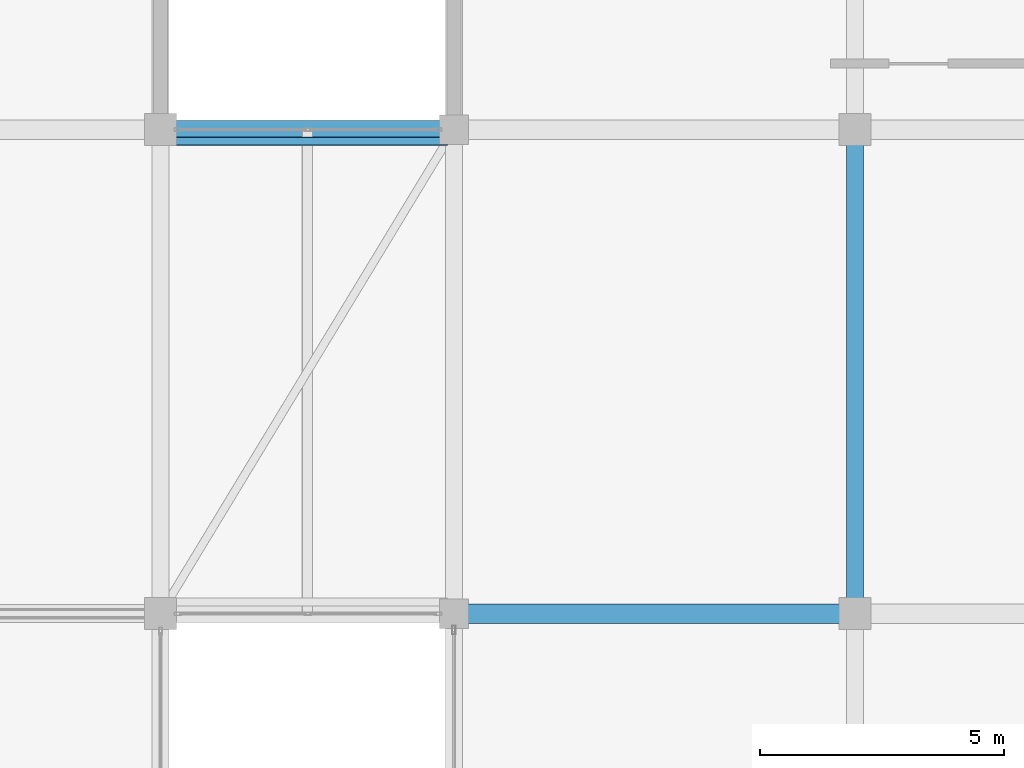
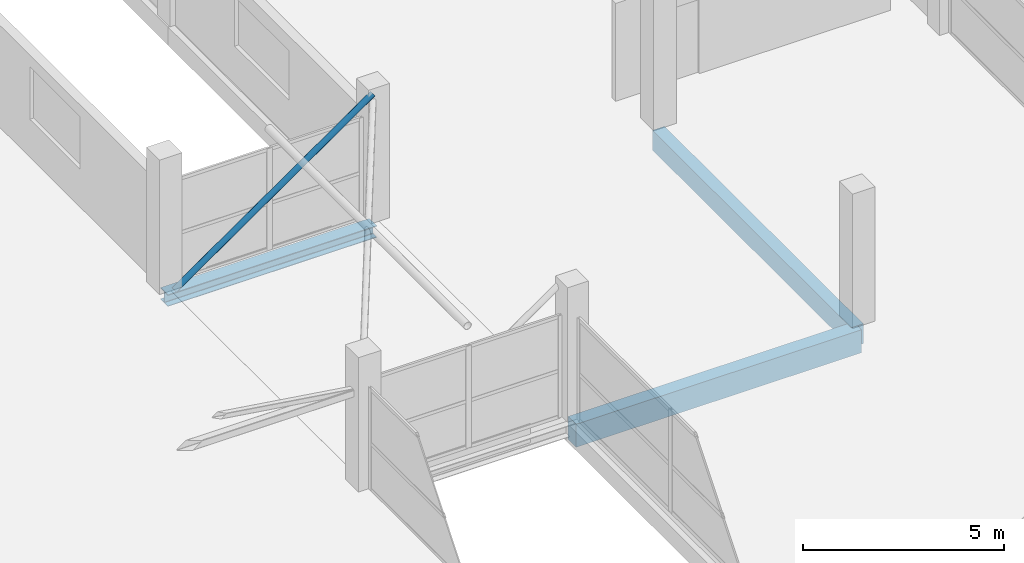
# One storey, part 40 of 66: 3 beams, 1 member.
"""IFC4 building model written with IfcOpenShell, lengths in metres."""

from ifc_helpers import new_model, si_unit, direction, frame, origin, origin_2d, place, context, subcontext, project, spatial, rectangle, hollow_circle, i_section, extrude, material, material_profile, profile_set, type_object, element, save


model = new_model("IFC4")

# Units and contexts
model_context = context("Model", 3, precision=1e-05, world=origin(), true_north=direction((0.0, 1.0)))
body_context = subcontext(model_context, "Body", "Model", "MODEL_VIEW")
ifc_project = project(units=[si_unit("LENGTHUNIT", "METRE"), si_unit("AREAUNIT", "SQUARE_METRE"), si_unit("VOLUMEUNIT", "CUBIC_METRE"), si_unit("PLANEANGLEUNIT", "RADIAN"), si_unit("MASSUNIT", "GRAM", prefix="KILO")], contexts=[model_context])

# Site, building, storey
site_placement = place(None, origin())
site = spatial("IfcSite", under=ifc_project, at=site_placement, CompositionType="ELEMENT")
building_placement = place(site_placement, origin())
building = spatial("IfcBuilding", under=site, at=building_placement, Name="Sillaruma Civic Art Gallery", CompositionType="ELEMENT")
storey_placement = place(building_placement, frame((0.0, 0.0, 62.219970703125)))
storey = spatial("IfcBuildingStorey", under=building, at=storey_placement, Name="L12", CompositionType="ELEMENT", Elevation=62.219970703125)

# Beams
ifc_material_1 = material(Name="Concrete H35 (35 MPa)", Category="concrete")
ifc_material_profile_1 = material_profile(ifc_material_1, rectangle(XDim=0.35009765625, YDim=0.60009765625, at=origin_2d()), Name="RCB350x600")
ifc_profile_set_1 = profile_set([ifc_material_profile_1], Name="Concrete H35 (35 MPa)")
beam_type_1 = type_object("IfcBeamType", Name="BM-BEAM-RCB350x600", PredefinedType="BEAM", material=ifc_profile_set_1)
beam_1_placement = place(storey_placement, frame((106.199951171875, 69.300048828125, -0.530029296875), z_axis=(0.0, 1.0, 0.0), x_axis=(-1.0, 0.0, 0.0)))
element("IfcBeam", 1, at=beam_1_placement, inside=storey, type_object=beam_type_1, Name="Beam BM-06 (L11:M:8-9)", PredefinedType="BEAM", context=body_context, shape_type="SweptSolid", body=[
    extrude(rectangle(XDim=0.35009765625, YDim=0.60009765625, at=origin_2d()), origin(), (0.0, 0.0, 1.0), 9.89990234375),
])
ifc_material_profile_2 = material_profile(ifc_material_1, rectangle(XDim=0.39990234375, YDim=0.699951171875, at=origin_2d()), Name="RCB400x700")
ifc_profile_set_2 = profile_set([ifc_material_profile_2], Name="Concrete H35 (35 MPa)")
beam_type_2 = type_object("IfcBeamType", Name="BM-BEAM-RCB400x700", PredefinedType="BEAM", material=ifc_profile_set_2)
beam_2_placement = place(storey_placement, frame((98.0, 69.300048828125, -0.580078125), z_axis=(1.0, 0.0, 0.0), x_axis=(0.0, 1.0, 0.0)))
element("IfcBeam", 2, at=beam_2_placement, inside=storey, type_object=beam_type_2, Name="Beam BM-04 (L11:8:L-M)", PredefinedType="BEAM", context=body_context, shape_type="SweptSolid", body=[
    extrude(rectangle(XDim=0.39990234375, YDim=0.699951171875, at=origin_2d()), origin(), (0.0, 0.0, 1.0), 8.199951171875),
])
ifc_material_2 = material(Name="Structural Steel ASTM A992 Gr.50", Category="steel")
ifc_material_profile_3 = material_profile(ifc_material_2, i_section(OverallWidth=0.368896484375, OverallDepth=0.35595703125, WebThickness=0.01123046875, FlangeThickness=0.01806640625, FilletRadius=0.014892578125, at=origin_2d()), Name="W360x134")
ifc_profile_set_3 = profile_set([ifc_material_profile_3], Name="Structural Steel ASTM A992 Gr.50")
beam_type_3 = type_object("IfcBeamType", Name="BM-BRIDGE-W360x134", PredefinedType="SPANDREL", material=ifc_profile_set_3)
beam_3_placement = place(storey_placement, frame((92.0, 79.199951171875, -0.387939453125), z_axis=(1.0, 0.0, 0.0), x_axis=(0.0, 1.0, 0.0)))
element("IfcBeam", 3, at=beam_3_placement, inside=storey, type_object=beam_type_3, Name="Sky-Bridge Steel Edge Girder (BRG-N:L12:N)", PredefinedType="SPANDREL", context=body_context, shape_type="SweptSolid", body=[
    extrude(i_section(OverallWidth=0.368896484375, OverallDepth=0.35595703125, WebThickness=0.01123046875, FlangeThickness=0.01806640625, FilletRadius=0.014892578125, at=origin_2d()), origin(), (0.0, 0.0, 1.0), 6.0),
])

# Member
ifc_material_3 = material(Name="Structural Steel ASTM A500 Gr.C", Category="steel")
ifc_material_profile_4 = material_profile(ifc_material_3, hollow_circle(Radius=0.084228515625, WallThickness=0.007080078125, at=origin_2d()), Name="CHS168.3x7.1")
ifc_profile_set_4 = profile_set([ifc_material_profile_4], Name="Structural Steel ASTM A500 Gr.C")
member_type = type_object("IfcMemberType", Name="MEM-BRIDGE-BRACE", PredefinedType="BRACE", material=ifc_profile_set_4)
member_placement = place(storey_placement, frame((92.14990234375, 78.9599609375, -0.080078125), z_axis=(0.820576982008, 0.0, 0.571536015137), x_axis=(0.0, 1.0, 0.0)))
element("IfcMember", 4, at=member_placement, inside=storey, type_object=member_type, Name="Sky-Bridge Elevation Truss Web Brace (BRG-N:L12:N)", PredefinedType="BRACE", context=body_context, shape_type="SweptSolid", body=[
    extrude(hollow_circle(Radius=0.084228515625, WallThickness=0.007080078125, at=origin_2d()), origin(), (0.0, 0.0, 1.0), 6.946533203125),
])

save(model, "model.ifc")
